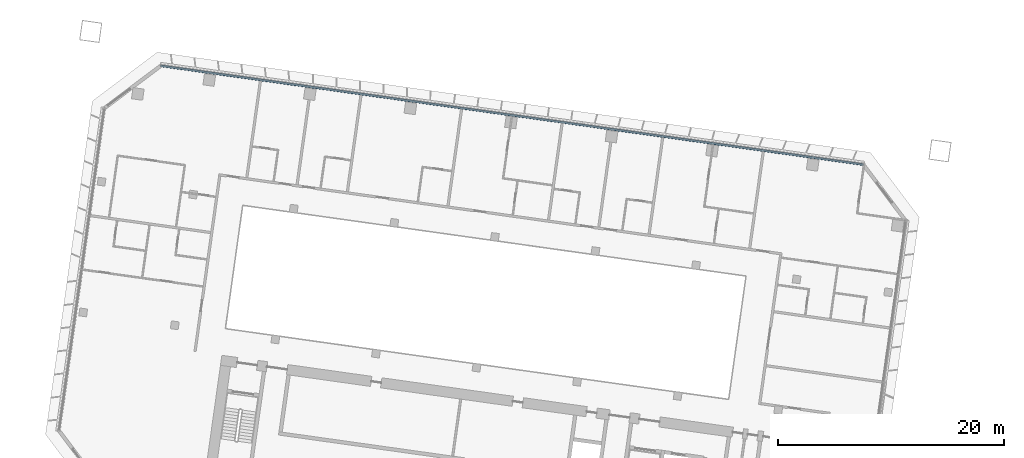
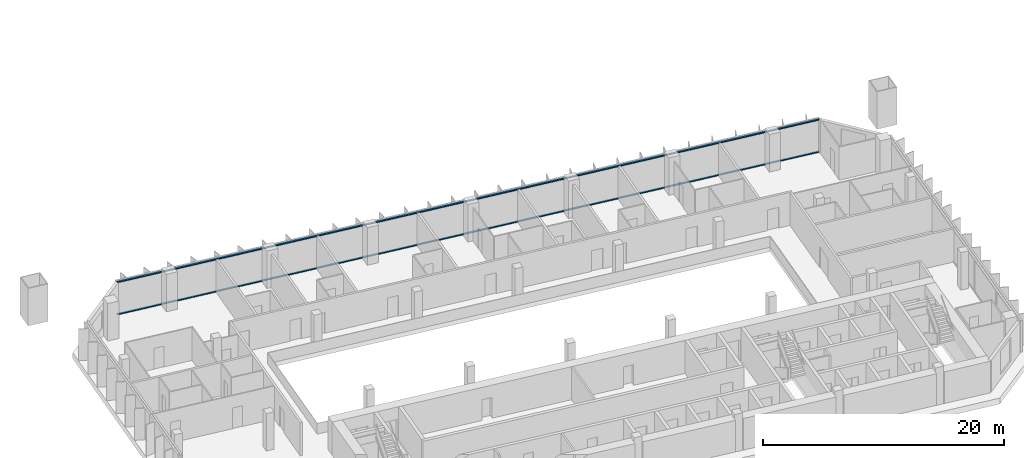
# One storey, part 4 of 24: 2 members, 1 element without a shape of its own.
"""IFC4 building model written with IfcOpenShell, lengths in metres."""

from ifc_helpers import new_model, si_unit, direction, frame, origin, origin_2d, place, context, subcontext, project, spatial, rectangle, extrude, material, material_profile, profile_set, type_object, element, aggregate, save


model = new_model("IFC4")

# Units and contexts
model_context = context("Model", 3, precision=1e-05, world=origin(), true_north=direction((0.0, 1.0)))
body_context = subcontext(model_context, "Body", "Model", "MODEL_VIEW")
ifc_project = project(units=[si_unit("LENGTHUNIT", "METRE"), si_unit("AREAUNIT", "SQUARE_METRE"), si_unit("VOLUMEUNIT", "CUBIC_METRE"), si_unit("PLANEANGLEUNIT", "RADIAN"), si_unit("MASSUNIT", "GRAM", prefix="KILO")], contexts=[model_context])

# Site, building, storey
site_placement = place(None, origin())
site = spatial("IfcSite", under=ifc_project, at=site_placement, CompositionType="ELEMENT")
building_placement = place(site_placement, origin())
building = spatial("IfcBuilding", under=site, at=building_placement, Name="Mirante Cascada Hotel Towers", CompositionType="ELEMENT")
storey_placement = place(building_placement, frame((0.0, 0.0, 85.1)))
storey = spatial("IfcBuildingStorey", under=building, at=storey_placement, Name="L18", CompositionType="ELEMENT", Elevation=85.1)

# Curtain wall, members
ifc_material_1 = material(Name="Aluminium mullion and transom frame with clear laminated glass", Category="aluminium")
curtain_wall_type = type_object("IfcCurtainWallType", Name="Ribbon curtain wall ECW1", PredefinedType="NOTDEFINED", material=ifc_material_1)
curtain_wall_placement = place(storey_placement, origin())
curtain_wall = element("IfcCurtainWall", 1, at=curtain_wall_placement, inside=storey, type_object=curtain_wall_type, Name="Front ribbon wall T1 L18", PredefinedType="NOTDEFINED")
ifc_material_2 = material(Name="Anodised aluminium extrusion", Category="aluminium")
ifc_material_profile = material_profile(ifc_material_2, rectangle(XDim=0.16, YDim=0.1, at=origin_2d()), Name="ECW1 TRANSOM 100x160")
ifc_profile_set = profile_set([ifc_material_profile], Name="Anodised aluminium extrusion")
member_type = type_object("IfcMemberType", Name="ECW1 transom 100x160", PredefinedType="USERDEFINED", material=ifc_profile_set)
member_1_placement = place(storey_placement, frame((-94.1582, 26.0521, 0.05), z_axis=(0.9902681, -0.1391728, 0.0), x_axis=(0.1391728, 0.9902681, 0.0)))
member_1 = element("IfcMember", 2, at=member_1_placement, type_object=member_type, Name="ECW1 sill transom", ObjectType="TRANSOM", PredefinedType="USERDEFINED", context=body_context, shape_type="SweptSolid", body=[
    extrude(rectangle(XDim=0.16, YDim=0.1, at=origin_2d()), origin(), (0.0, 0.0, 1.0), 62.8758),
])
member_2_placement = place(storey_placement, frame((-94.1582, 26.0521, 3.3), z_axis=(0.9902681, -0.1391728, 0.0), x_axis=(0.1391728, 0.9902681, 0.0)))
member_2 = element("IfcMember", 3, at=member_2_placement, type_object=member_type, Name="ECW1 head transom", ObjectType="TRANSOM", PredefinedType="USERDEFINED", context=body_context, shape_type="SweptSolid", body=[
    extrude(rectangle(XDim=0.16, YDim=0.1, at=origin_2d()), origin(), (0.0, 0.0, 1.0), 62.8758),
])
aggregate(curtain_wall, [member_1, member_2])

save(model, "model.ifc")
